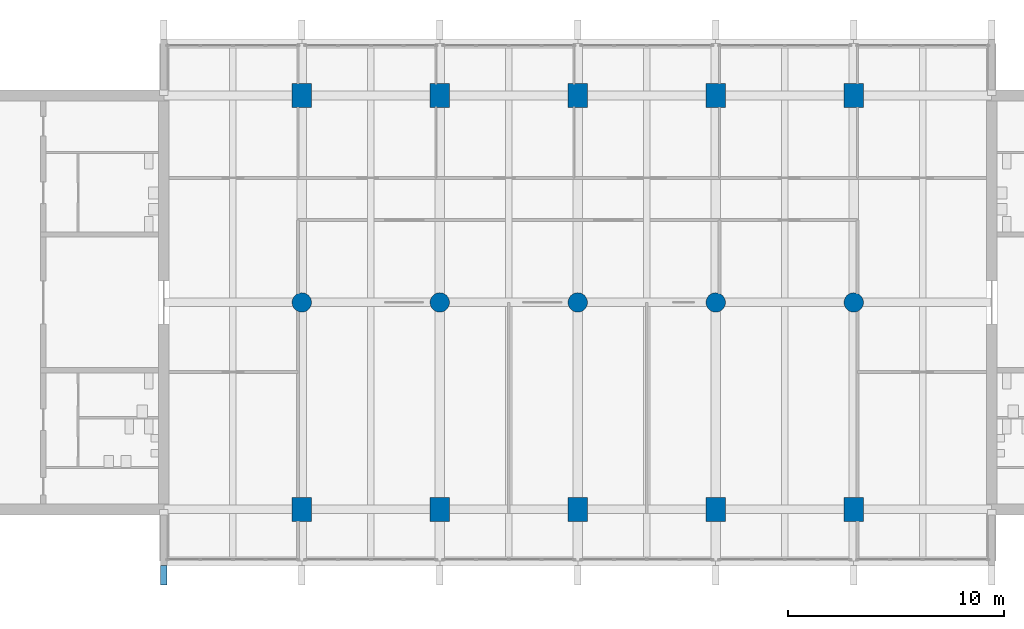
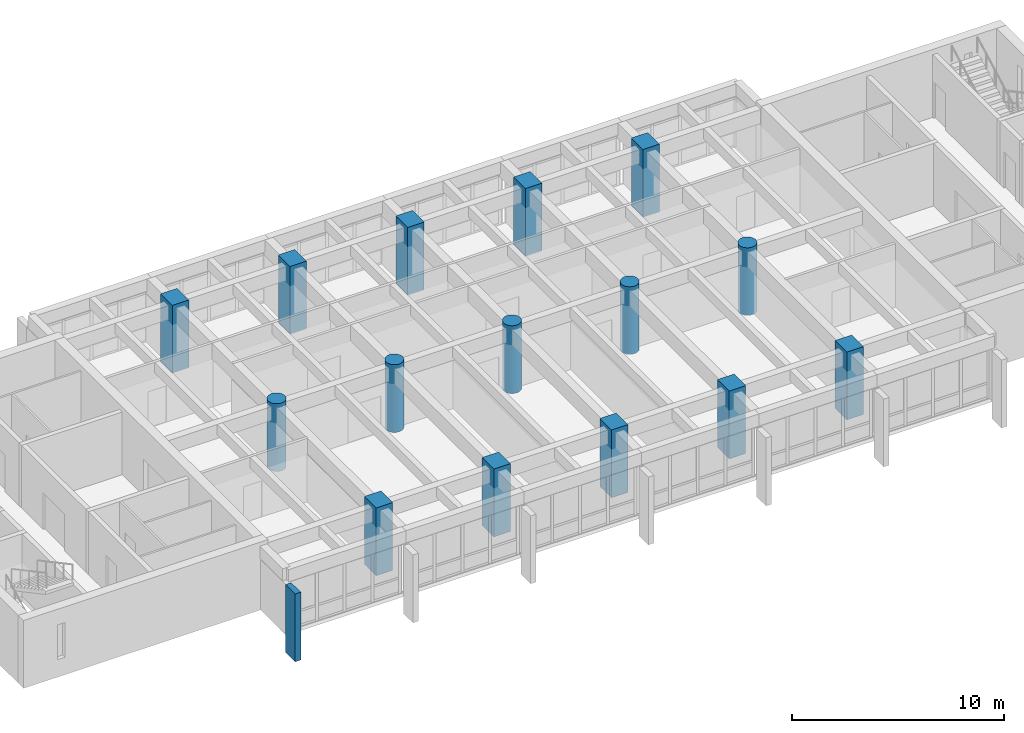
# One storey, part 1 of 15: 15 columns, 1 member.
"""IFC4 building model written with IfcOpenShell, lengths in metres."""

from ifc_helpers import new_model, si_unit, direction, frame, origin, origin_2d, place, context, subcontext, project, spatial, rectangle, circle, extrude, material, material_profile, profile_set, type_object, element, save


model = new_model("IFC4")

# Units and contexts
model_context = context("Model", 3, precision=1e-05, world=origin(), true_north=direction((0.0, 1.0)))
body_context = subcontext(model_context, "Body", "Model", "MODEL_VIEW")
ifc_project = project(units=[si_unit("LENGTHUNIT", "METRE"), si_unit("AREAUNIT", "SQUARE_METRE"), si_unit("VOLUMEUNIT", "CUBIC_METRE"), si_unit("PLANEANGLEUNIT", "RADIAN"), si_unit("MASSUNIT", "GRAM", prefix="KILO")], contexts=[model_context])

# Site, building, storey
site_placement = place(None, origin())
site = spatial("IfcSite", under=ifc_project, at=site_placement, CompositionType="ELEMENT")
building_placement = place(site_placement, origin())
building = spatial("IfcBuilding", under=site, at=building_placement, Name="Fogon Plaza Fire Station and Headquarters Tower", CompositionType="ELEMENT")
storey_placement = place(building_placement, frame((0.0, 0.0, 44.39990234375)))
storey = spatial("IfcBuildingStorey", under=building, at=storey_placement, Name="L11", CompositionType="ELEMENT", Elevation=44.39990234375)

# Columns
ifc_material_1 = material(Name="Concrete C40", Category="concrete")
ifc_material_profile_1 = material_profile(ifc_material_1, rectangle(XDim=0.89990234375, YDim=1.10009765625, at=origin_2d()), Name="RC 900x1100")
ifc_profile_set_1 = profile_set([ifc_material_profile_1], Name="Concrete C40")
column_type_1 = type_object("IfcColumnType", Name="COLUMN RC 900x1100", PredefinedType="COLUMN", material=ifc_profile_set_1)
for number, where, z_axis, x_axis, name in (
    (1, (32.0, 33.60009765625, 0.0), (0.0, 0.0, 1.0), (1.0, 0.0, 0.0), "col-L11-4E"),
    (2, (32.0, 52.800048828125, 0.0), (0.0, 0.0, 1.0), (1.0, 0.0, 0.0), "col-L11-4G"),
    (3, (38.39990234375, 33.60009765625, 0.0), (0.0, 0.0, 1.0), (1.0, 0.0, 0.0), "col-L11-5E"),
    (4, (38.39990234375, 52.800048828125, 0.0), (0.0, 0.0, 1.0), (1.0, 0.0, 0.0), "col-L11-5G"),
    (5, (44.800048828125, 33.60009765625, 0.0), (0.0, 0.0, 1.0), (1.0, 0.0, 0.0), "col-L11-6E"),
    (6, (44.800048828125, 52.800048828125, 0.0), (0.0, 0.0, 1.0), (1.0, 0.0, 0.0), "col-L11-6G"),
    (7, (51.199951171875, 33.60009765625, 0.0), (0.0, 0.0, 1.0), (1.0, 0.0, 0.0), "col-L11-7E"),
    (8, (51.199951171875, 52.800048828125, 0.0), (0.0, 0.0, 1.0), (1.0, 0.0, 0.0), "col-L11-7G"),
    (9, (57.60009765625, 33.60009765625, 0.0), (0.0, 0.0, 1.0), (1.0, 0.0, 0.0), "col-L11-8E"),
    (10, (57.60009765625, 52.800048828125, 0.0), (0.0, 0.0, 1.0), (1.0, 0.0, 0.0), "col-L11-8G"),
):
    element("IfcColumn", number, at=place(storey_placement, frame(where, z_axis=z_axis, x_axis=x_axis)), inside=storey, type_object=column_type_1, Name=name, PredefinedType="COLUMN", context=body_context, shape_type="SweptSolid", body=[
        extrude(rectangle(XDim=0.89990234375, YDim=1.10009765625, at=origin_2d()), origin(), (0.0, 0.0, 1.0), 3.900146484375),
    ])
ifc_material_2 = material(Name="Concrete C40", Category="concrete")
ifc_material_profile_2 = material_profile(ifc_material_2, circle(Radius=0.449951171875, at=origin_2d()), Name="RC D900")
ifc_profile_set_2 = profile_set([ifc_material_profile_2], Name="Concrete C40")
column_type_2 = type_object("IfcColumnType", Name="COLUMN RC D900", PredefinedType="COLUMN", material=ifc_profile_set_2)
for number, where, z_axis, x_axis, name in (
    (11, (32.0, 43.199951171875, 0.0), (0.0, 0.0, 1.0), (1.0, 0.0, 0.0), "col-L11-4F"),
    (12, (38.39990234375, 43.199951171875, 0.0), (0.0, 0.0, 1.0), (1.0, 0.0, 0.0), "col-L11-5F"),
    (13, (44.800048828125, 43.199951171875, 0.0), (0.0, 0.0, 1.0), (1.0, 0.0, 0.0), "col-L11-6F"),
    (14, (51.199951171875, 43.199951171875, 0.0), (0.0, 0.0, 1.0), (1.0, 0.0, 0.0), "col-L11-7F"),
    (15, (57.60009765625, 43.199951171875, 0.0), (0.0, 0.0, 1.0), (1.0, 0.0, 0.0), "col-L11-8F"),
):
    element("IfcColumn", number, at=place(storey_placement, frame(where, z_axis=z_axis, x_axis=x_axis)), inside=storey, type_object=column_type_2, Name=name, PredefinedType="COLUMN", context=body_context, shape_type="SweptSolid", body=[
        extrude(circle(Radius=0.449951171875, at=origin_2d()), origin(), (0.0, 0.0, 1.0), 3.900146484375),
    ])

# Member
ifc_material_3 = material(Name="Concrete C40 precast", Category="concrete")
ifc_material_profile_3 = material_profile(ifc_material_3, rectangle(XDim=0.300048828125, YDim=0.89990234375, at=origin_2d()), Name="Precast Concrete Post 300x900")
ifc_profile_set_3 = profile_set([ifc_material_profile_3], Name="Concrete C40 precast")
member_type = type_object("IfcMemberType", Name="Precast Concrete Post 300x900", PredefinedType="POST", material=ifc_profile_set_3)
member_placement = place(storey_placement, frame((25.60009765625, 30.550048828125, -1.02001953125), z_axis=(0.0, 0.0, 1.0), x_axis=(1.0, 0.0, 0.0)))
element("IfcMember", 16, at=member_placement, inside=storey, type_object=member_type, Name="Precast Post S L11", PredefinedType="POST", context=body_context, shape_type="SweptSolid", body=[
    extrude(rectangle(XDim=0.300048828125, YDim=0.89990234375, at=origin_2d()), origin(), (0.0, 0.0, 1.0), 3.900146484375),
])

save(model, "model.ifc")
